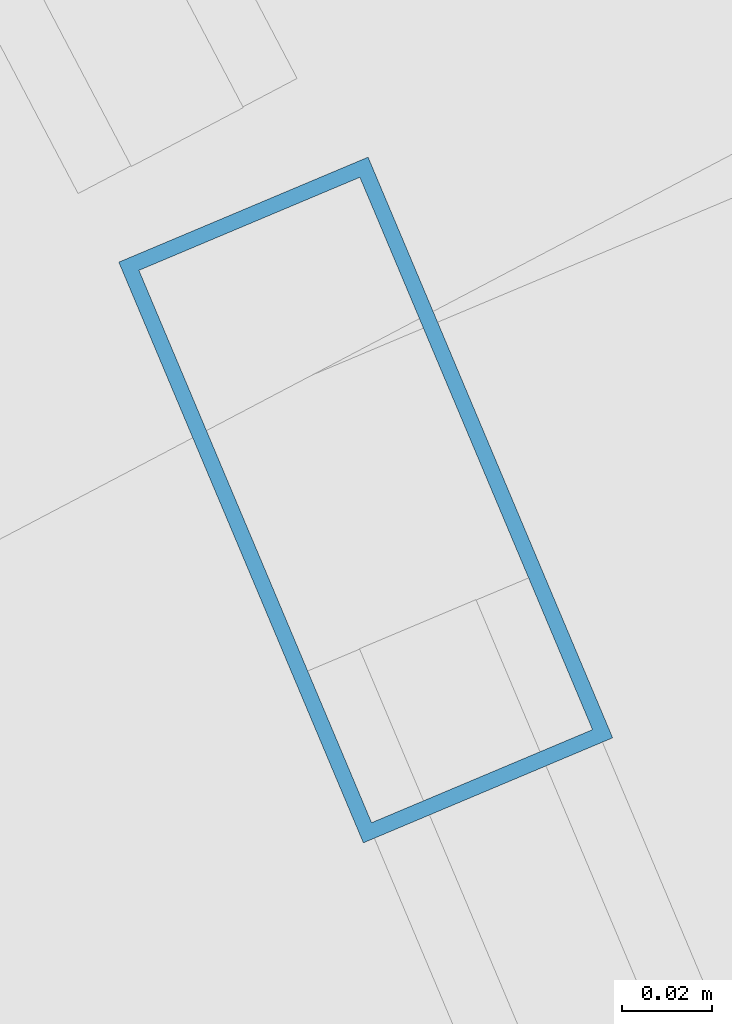
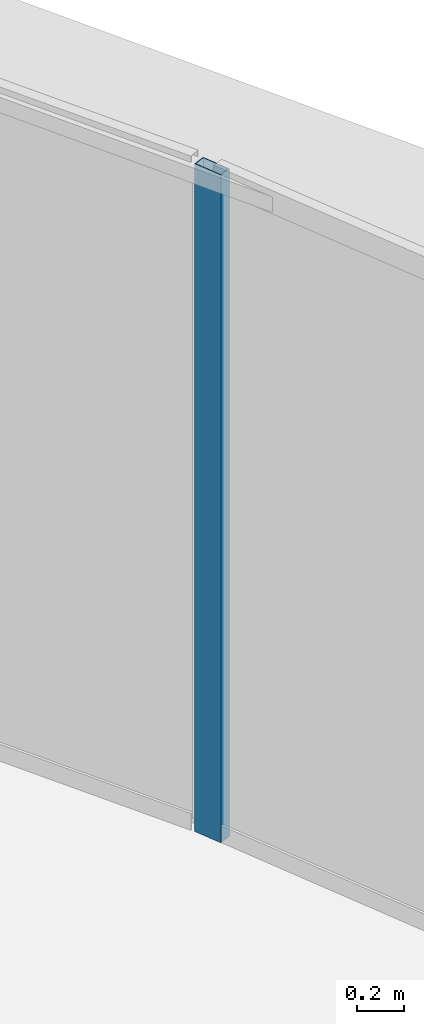
# One storey, part 23 of 34: 1 member, 1 element without a shape of its own.
"""IFC4 building model written with IfcOpenShell, lengths in metres."""

from ifc_helpers import new_model, si_unit, direction, frame, origin, origin_2d, place, context, subcontext, project, spatial, hollow_rectangle, extrude, source, transform, mapped, material, layer, layer_set, material_profile, profile_set, type_object, element, aggregate, save


model = new_model("IFC4")

# Units and contexts
model_context = context("Model", 3, precision=1e-05, world=origin(), true_north=direction((0.0, 1.0)))
body_context = subcontext(model_context, "Body", "Model", "MODEL_VIEW")
ifc_project = project(units=[si_unit("LENGTHUNIT", "METRE"), si_unit("AREAUNIT", "SQUARE_METRE"), si_unit("VOLUMEUNIT", "CUBIC_METRE"), si_unit("PLANEANGLEUNIT", "RADIAN"), si_unit("MASSUNIT", "GRAM", prefix="KILO"), si_unit("THERMODYNAMICTEMPERATUREUNIT", "KELVIN"), si_unit("POWERUNIT", "WATT")], contexts=[model_context])

# Site, building, storey
site_placement = place(None, origin())
site = spatial("IfcSite", under=ifc_project, at=site_placement, CompositionType="ELEMENT")
building_placement = place(site_placement, origin())
building = spatial("IfcBuilding", under=site, at=building_placement, Name="Yunzhuo Pagoda Commons", CompositionType="ELEMENT")
storey_placement = place(building_placement, frame((0.0, 0.0, 233.340087890625)))
storey = spatial("IfcBuildingStorey", under=building, at=storey_placement, Name="L58", CompositionType="ELEMENT", Elevation=233.340087890625)

# Curtain wall, member
ifc_material = material(Name="Anodized aluminium 6063-T6", Category="aluminium")
ifc_layer = layer(ifc_material, 0.139892578125)
ifc_layer_set = layer_set([ifc_layer], Name="Anodized aluminium 6063-T6")
curtain_wall_type = type_object("IfcCurtainWallType", Name="CW-HI High-Zone Ribbon Curtain Wall", PredefinedType="NOTDEFINED", material=ifc_layer_set)
curtain_wall_placement = place(storey_placement, origin())
curtain_wall = element("IfcCurtainWall", 1, at=curtain_wall_placement, inside=storey, type_object=curtain_wall_type, Name="L58 curtain wall CW-L58-F2B2", PredefinedType="NOTDEFINED")
ifc_material_profile = material_profile(ifc_material, hollow_rectangle(XDim=0.06005859375, YDim=0.139892578125, WallThickness=0.00341796875, at=origin_2d()), Name="Anodized aluminium 6063-T6")
ifc_profile_set = profile_set([ifc_material_profile], Name="Anodized aluminium 6063-T6")
member_type = type_object("IfcMemberType", Name="CW-HI-M Mullion RHS 140x60x3.5", PredefinedType="MULLION", material=ifc_profile_set)
shared_shape = source(origin(), body_context, "Body", "SweptSolid", [
    extrude(hollow_rectangle(XDim=0.06005859375, YDim=0.139892578125, WallThickness=0.00341796875, at=origin_2d()), origin(), (0.0, 0.0, 1.0), 3.469970703125),
])
member_placement = place(storey_placement, frame((76.85595703125, 43.04443359375, 0.0), z_axis=(0.0, 0.0, 1.0), x_axis=(-0.92158893956, -0.388167266112, 0.0)))
member = element("IfcMember", 2, at=member_placement, type_object=member_type, Name="CW mullion 2", PredefinedType="MULLION", context=body_context, shape_type="MappedRepresentation", body=[
    mapped(shared_shape, transform((0.0, 0.0, 0.0), scale=1.0)),
])
aggregate(curtain_wall, [member])

save(model, "model.ifc")
